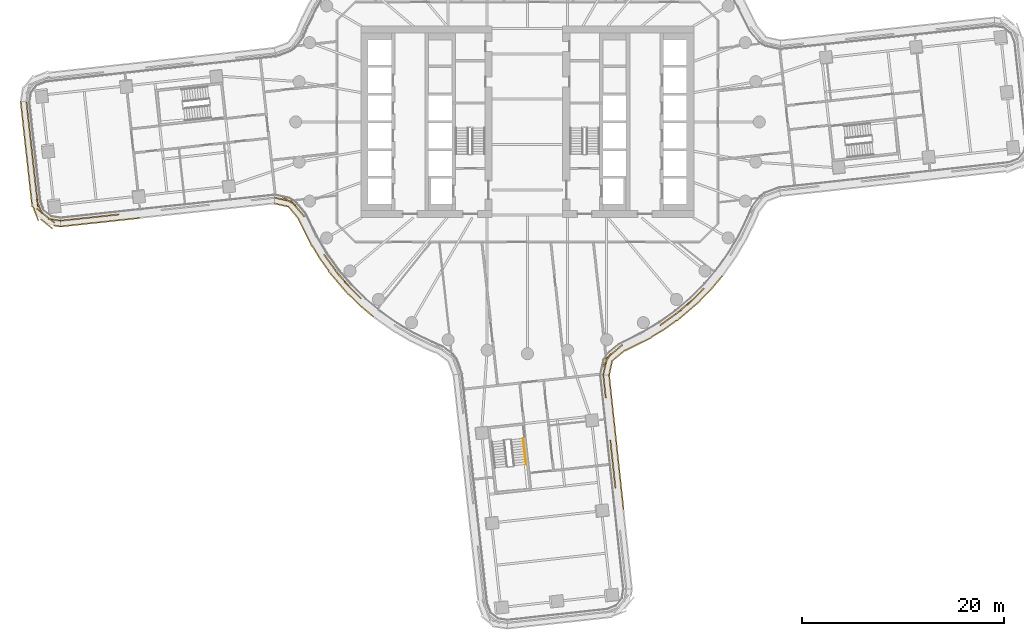
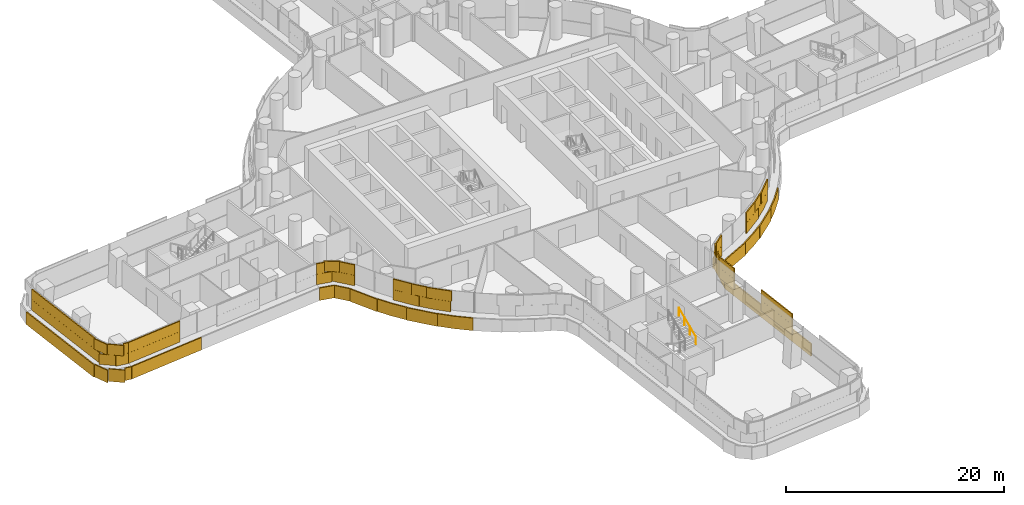
# One storey, part 26 of 31: 5 coverings, 1 railing.
"""IFC4 building model written with IfcOpenShell, lengths in metres."""

from ifc_helpers import new_model, si_unit, direction, frame, origin, origin_2d, place, context, subcontext, project, spatial, rectangle, circle, extrude, material, layer, layer_set, type_object, element, save


model = new_model("IFC4")

# Units and contexts
model_context = context("Model", 3, precision=1e-05, world=origin(), true_north=direction((0.0, 1.0)))
body_context = subcontext(model_context, "Body", "Model", "MODEL_VIEW")
ifc_project = project(units=[si_unit("LENGTHUNIT", "METRE"), si_unit("AREAUNIT", "SQUARE_METRE"), si_unit("VOLUMEUNIT", "CUBIC_METRE"), si_unit("PLANEANGLEUNIT", "RADIAN"), si_unit("MASSUNIT", "GRAM", prefix="KILO")], contexts=[model_context])

# Site, building, storey
site_placement = place(None, origin())
site = spatial("IfcSite", under=ifc_project, at=site_placement, CompositionType="ELEMENT")
building_placement = place(site_placement, origin())
building = spatial("IfcBuilding", under=site, at=building_placement, Name="Tamarind Cross Interchange Tower", CompositionType="ELEMENT")
storey_placement = place(building_placement, frame((0.0, 0.0, 56.5)))
storey = spatial("IfcBuildingStorey", under=building, at=storey_placement, Name="L12", CompositionType="ELEMENT", Elevation=56.5)

# Railing
ifc_material_1 = material(Name="Stair handrail")
railing_type = type_object("IfcRailingType", Name="Stair handrail", PredefinedType="HANDRAIL", material=ifc_material_1)
railing_placement = place(storey_placement, frame((-0.141845703125, -33.987060546875, 2.04541015625)))
element("IfcRailing", 1, at=railing_placement, inside=storey, type_object=railing_type, Name="L12 ST6 stair handrail 2", PredefinedType="HANDRAIL", context=body_context, shape_type="SweptSolid", body=[
    extrude(circle(Radius=0.02392578125, at=origin_2d()), frame((0.0, 0.0, 0.8759765625), z_axis=(-0.09133357445, 0.831269033153, 0.548315577655), x_axis=(-0.994018126687, -0.109215217887, 0.0)), (0.0, 0.0, 1.0), 3.10888671875),
    extrude(circle(Radius=0.02099609375, at=origin_2d()), origin(), (0.0, 0.0, 1.0), 0.851806640625),
    extrude(circle(Radius=0.02099609375, at=origin_2d()), frame((-0.0947265625, 0.861328125, 0.568115234375)), (0.0, 0.0, 1.0), 0.851806640625),
    extrude(circle(Radius=0.02099609375, at=origin_2d()), frame((-0.189208984375, 1.722900390625, 1.136474609375)), (0.0, 0.0, 1.0), 0.851806640625),
    extrude(circle(Radius=0.02099609375, at=origin_2d()), frame((-0.283935546875, 2.584228515625, 1.70458984375)), (0.0, 0.0, 1.0), 0.851806640625),
])

# Coverings
ifc_material_2 = material(Name="Terracotta", Category="masonry")
ifc_layer = layer(ifc_material_2, 0.1201171875)
ifc_layer_set = layer_set([ifc_layer], Name="Terracotta")
covering_type = type_object("IfcCoveringType", Name="Terracotta baguette screen unit", PredefinedType="MOLDING", material=ifc_layer_set)
covering_1_placement = place(storey_placement, origin())
element("IfcCovering", 2, at=covering_1_placement, inside=storey, type_object=covering_type, Name="SCR-L12-08-00", PredefinedType="MOLDING", context=body_context, shape_type="SweptSolid", body=[
    extrude(rectangle(XDim=1.510009765625, YDim=0.1201171875, at=origin_2d()), frame((-49.631591796875, 1.252197265625, 1.404052734375), z_axis=(0.0, 0.0, 1.0), x_axis=(0.109193040639, -0.994020563105, 0.0)), (0.0, 0.0, 1.0), 1.1669921875),
    extrude(rectangle(XDim=1.52001953125, YDim=0.1201171875, at=origin_2d()), frame((-49.4677734375, -0.23876953125, 1.404052734375), z_axis=(0.0, 0.0, 1.0), x_axis=(0.109193040639, -0.994020563105, 0.0)), (0.0, 0.0, 1.0), 1.1669921875),
    extrude(rectangle(XDim=1.52001953125, YDim=0.1201171875, at=origin_2d()), frame((-49.303955078125, -1.72998046875, 1.404052734375), z_axis=(0.0, 0.0, 1.0), x_axis=(0.109193040639, -0.994020563105, 0.0)), (0.0, 0.0, 1.0), 1.1669921875),
    extrude(rectangle(XDim=1.52001953125, YDim=0.1201171875, at=origin_2d()), frame((-49.14013671875, -3.220947265625, 1.404052734375), z_axis=(0.0, 0.0, 1.0), x_axis=(0.109193040639, -0.994020563105, 0.0)), (0.0, 0.0, 1.0), 1.1669921875),
    extrude(rectangle(XDim=1.52001953125, YDim=0.1201171875, at=origin_2d()), frame((-48.976318359375, -4.7119140625, 1.404052734375), z_axis=(0.0, 0.0, 1.0), x_axis=(0.109193040639, -0.994020563105, 0.0)), (0.0, 0.0, 1.0), 1.1669921875),
    extrude(rectangle(XDim=1.52001953125, YDim=0.1201171875, at=origin_2d()), frame((-48.8125, -6.202880859375, 1.404052734375), z_axis=(0.0, 0.0, 1.0), x_axis=(0.109193040639, -0.994020563105, 0.0)), (0.0, 0.0, 1.0), 1.1669921875),
    extrude(rectangle(XDim=1.52001953125, YDim=0.1201171875, at=origin_2d()), frame((-48.648681640625, -7.694091796875, 1.404052734375), z_axis=(0.0, 0.0, 1.0), x_axis=(0.109193040639, -0.994020563105, 0.0)), (0.0, 0.0, 1.0), 1.1669921875),
    extrude(rectangle(XDim=1.52001953125, YDim=0.1201171875, at=origin_2d()), frame((-48.109375, -9.061279296875, 1.404052734375), z_axis=(0.0, 0.0, 1.0), x_axis=(0.780089820305, -0.625667541316, 0.0)), (0.0, 0.0, 1.0), 1.1669921875),
    extrude(rectangle(XDim=1.259521484375, YDim=0.1201171875, at=origin_2d()), frame((-46.94384765625, -9.7099609375, 1.404052734375), z_axis=(0.0, 0.0, 1.0), x_axis=(0.988411372276, -0.151799074951, 0.0)), (0.0, 0.0, 1.0), 1.1669921875),
    extrude(rectangle(XDim=0.760009765625, YDim=0.1201171875, at=origin_2d()), frame((-49.67236328125, 1.625, 2.5791015625), z_axis=(0.0, 0.0, 1.0), x_axis=(0.109193040639, -0.994020563105, 0.0)), (0.0, 0.0, 1.0), 1.1669921875),
    extrude(rectangle(XDim=1.52001953125, YDim=0.1201171875, at=origin_2d()), frame((-49.549560546875, 0.506591796875, 2.5791015625), z_axis=(0.0, 0.0, 1.0), x_axis=(0.109193040639, -0.994020563105, 0.0)), (0.0, 0.0, 1.0), 1.1669921875),
    extrude(rectangle(XDim=1.52001953125, YDim=0.1201171875, at=origin_2d()), frame((-49.3857421875, -0.984375, 2.5791015625), z_axis=(0.0, 0.0, 1.0), x_axis=(0.109193040639, -0.994020563105, 0.0)), (0.0, 0.0, 1.0), 1.1669921875),
    extrude(rectangle(XDim=1.52001953125, YDim=0.1201171875, at=origin_2d()), frame((-49.221923828125, -2.475341796875, 2.5791015625), z_axis=(0.0, 0.0, 1.0), x_axis=(0.109193040639, -0.994020563105, 0.0)), (0.0, 0.0, 1.0), 1.1669921875),
    extrude(rectangle(XDim=1.52001953125, YDim=0.1201171875, at=origin_2d()), frame((-49.058349609375, -3.966552734375, 2.5791015625), z_axis=(0.0, 0.0, 1.0), x_axis=(0.109193040639, -0.994020563105, 0.0)), (0.0, 0.0, 1.0), 1.1669921875),
    extrude(rectangle(XDim=1.52001953125, YDim=0.1201171875, at=origin_2d()), frame((-48.89453125, -5.45751953125, 2.5791015625), z_axis=(0.0, 0.0, 1.0), x_axis=(0.109193040639, -0.994020563105, 0.0)), (0.0, 0.0, 1.0), 1.1669921875),
    extrude(rectangle(XDim=1.52001953125, YDim=0.1201171875, at=origin_2d()), frame((-48.730712890625, -6.948486328125, 2.5791015625), z_axis=(0.0, 0.0, 1.0), x_axis=(0.109193040639, -0.994020563105, 0.0)), (0.0, 0.0, 1.0), 1.1669921875),
    extrude(rectangle(XDim=1.52001953125, YDim=0.1201171875, at=origin_2d()), frame((-48.446044921875, -8.409912109375, 2.5791015625), z_axis=(0.0, 0.0, 1.0), x_axis=(0.36274383096, -0.931888895256, 0.0)), (0.0, 0.0, 1.0), 1.1669921875),
    extrude(rectangle(XDim=1.52001953125, YDim=0.1201171875, at=origin_2d()), frame((-47.524169921875, -9.530517578125, 2.5791015625), z_axis=(0.0, 0.0, 1.0), x_axis=(0.780089820305, -0.625667541316, 0.0)), (0.0, 0.0, 1.0), 1.1669921875),
    extrude(rectangle(XDim=0.509521484375, YDim=0.1201171875, at=origin_2d()), frame((-46.5732421875, -9.766845703125, 2.5791015625), z_axis=(0.0, 0.0, 1.0), x_axis=(0.988411372276, -0.151799074951, 0.0)), (0.0, 0.0, 1.0), 1.1669921875),
    extrude(rectangle(XDim=1.510009765625, YDim=0.1201171875, at=origin_2d()), frame((-50.209716796875, 1.259521484375, 0.00390625), z_axis=(0.0, 0.0, 1.0), x_axis=(0.109193040639, -0.994020563105, 0.0)), (0.0, 0.0, 1.0), 1.39208984375),
    extrude(rectangle(XDim=1.52001953125, YDim=0.1201171875, at=origin_2d()), frame((-50.046630859375, -0.226318359375, 0.00390625), z_axis=(0.0, 0.0, 1.0), x_axis=(0.109193040639, -0.994020563105, 0.0)), (0.0, 0.0, 1.0), 1.39208984375),
    extrude(rectangle(XDim=1.52001953125, YDim=0.1201171875, at=origin_2d()), frame((-49.8828125, -1.717529296875, 0.00390625), z_axis=(0.0, 0.0, 1.0), x_axis=(0.109193040639, -0.994020563105, 0.0)), (0.0, 0.0, 1.0), 1.39208984375),
    extrude(rectangle(XDim=1.52001953125, YDim=0.1201171875, at=origin_2d()), frame((-49.718994140625, -3.20849609375, 0.00390625), z_axis=(0.0, 0.0, 1.0), x_axis=(0.109193040639, -0.994020563105, 0.0)), (0.0, 0.0, 1.0), 1.39208984375),
    extrude(rectangle(XDim=1.52001953125, YDim=0.1201171875, at=origin_2d()), frame((-49.55517578125, -4.699462890625, 0.00390625), z_axis=(0.0, 0.0, 1.0), x_axis=(0.109193040639, -0.994020563105, 0.0)), (0.0, 0.0, 1.0), 1.39208984375),
    extrude(rectangle(XDim=1.52001953125, YDim=0.1201171875, at=origin_2d()), frame((-49.391357421875, -6.1904296875, 0.00390625), z_axis=(0.0, 0.0, 1.0), x_axis=(0.109193040639, -0.994020563105, 0.0)), (0.0, 0.0, 1.0), 1.39208984375),
    extrude(rectangle(XDim=1.52001953125, YDim=0.1201171875, at=origin_2d()), frame((-49.2275390625, -7.681640625, 0.00390625), z_axis=(0.0, 0.0, 1.0), x_axis=(0.109193040639, -0.994020563105, 0.0)), (0.0, 0.0, 1.0), 1.39208984375),
    extrude(rectangle(XDim=1.52001953125, YDim=0.1201171875, at=origin_2d()), frame((-48.791259765625, -9.105712890625, 0.00390625), z_axis=(0.0, 0.0, 1.0), x_axis=(0.36274383096, -0.931888895256, 0.0)), (0.0, 0.0, 1.0), 1.39208984375),
    extrude(rectangle(XDim=1.52001953125, YDim=0.1201171875, at=origin_2d()), frame((-47.715087890625, -10.11328125, 0.00390625), z_axis=(0.0, 0.0, 1.0), x_axis=(0.780089820305, -0.625667541316, 0.0)), (0.0, 0.0, 1.0), 1.39208984375),
    extrude(rectangle(XDim=0.67626953125, YDim=0.1201171875, at=origin_2d()), frame((-46.673828125, -10.332275390625, 0.00390625), z_axis=(0.0, 0.0, 1.0), x_axis=(0.988411372276, -0.151799074951, 0.0)), (0.0, 0.0, 1.0), 1.39208984375),
])
covering_2_placement = place(storey_placement, origin())
element("IfcCovering", 3, at=covering_2_placement, inside=storey, type_object=covering_type, Name="SCR-L12-09-00", PredefinedType="MOLDING", context=body_context, shape_type="SweptSolid", body=[
    extrude(rectangle(XDim=1.510009765625, YDim=0.1201171875, at=origin_2d()), frame((-45.58056640625, -9.724853515625, 1.404052734375), z_axis=(0.0, 0.0, 1.0), x_axis=(0.994286578986, 0.106743612679, 0.0)), (0.0, 0.0, 1.0), 1.1669921875),
    extrude(rectangle(XDim=1.52001953125, YDim=0.1201171875, at=origin_2d()), frame((-44.089111328125, -9.564697265625, 1.404052734375), z_axis=(0.0, 0.0, 1.0), x_axis=(0.994286578986, 0.106743612679, 0.0)), (0.0, 0.0, 1.0), 1.1669921875),
    extrude(rectangle(XDim=1.52001953125, YDim=0.1201171875, at=origin_2d()), frame((-42.597900390625, -9.404541015625, 1.404052734375), z_axis=(0.0, 0.0, 1.0), x_axis=(0.994286578986, 0.106743612679, 0.0)), (0.0, 0.0, 1.0), 1.1669921875),
    extrude(rectangle(XDim=1.348388671875, YDim=0.1201171875, at=origin_2d()), frame((-41.186767578125, -9.253173828125, 1.404052734375), z_axis=(0.0, 0.0, 1.0), x_axis=(0.994286578986, 0.106743612679, 0.0)), (0.0, 0.0, 1.0), 1.1669921875),
    extrude(rectangle(XDim=0.760009765625, YDim=0.1201171875, at=origin_2d()), frame((-45.95361328125, -9.764892578125, 2.5791015625), z_axis=(0.0, 0.0, 1.0), x_axis=(0.994286578986, 0.106743612679, 0.0)), (0.0, 0.0, 1.0), 1.1669921875),
    extrude(rectangle(XDim=1.52001953125, YDim=0.1201171875, at=origin_2d()), frame((-44.8349609375, -9.644775390625, 2.5791015625), z_axis=(0.0, 0.0, 1.0), x_axis=(0.994286578986, 0.106743612679, 0.0)), (0.0, 0.0, 1.0), 1.1669921875),
    extrude(rectangle(XDim=1.52001953125, YDim=0.1201171875, at=origin_2d()), frame((-43.343505859375, -9.484619140625, 2.5791015625), z_axis=(0.0, 0.0, 1.0), x_axis=(0.994286578986, 0.106743612679, 0.0)), (0.0, 0.0, 1.0), 1.1669921875),
    extrude(rectangle(XDim=1.52001953125, YDim=0.1201171875, at=origin_2d()), frame((-41.85205078125, -9.324462890625, 2.5791015625), z_axis=(0.0, 0.0, 1.0), x_axis=(0.994286578986, 0.106743612679, 0.0)), (0.0, 0.0, 1.0), 1.1669921875),
    extrude(rectangle(XDim=0.598388671875, YDim=0.1201171875, at=origin_2d()), frame((-40.81396484375, -9.213134765625, 2.5791015625), z_axis=(0.0, 0.0, 1.0), x_axis=(0.994286578986, 0.106743612679, 0.0)), (0.0, 0.0, 1.0), 1.1669921875),
    extrude(rectangle(XDim=1.510009765625, YDim=0.1201171875, at=origin_2d()), frame((-45.5888671875, -10.302978515625, 0.00390625), z_axis=(0.0, 0.0, 1.0), x_axis=(0.994286578986, 0.106743612679, 0.0)), (0.0, 0.0, 1.0), 1.39208984375),
    extrude(rectangle(XDim=1.52001953125, YDim=0.1201171875, at=origin_2d()), frame((-44.102294921875, -10.143310546875, 0.00390625), z_axis=(0.0, 0.0, 1.0), x_axis=(0.994286578986, 0.106743612679, 0.0)), (0.0, 0.0, 1.0), 1.39208984375),
    extrude(rectangle(XDim=1.52001953125, YDim=0.1201171875, at=origin_2d()), frame((-42.61083984375, -9.9833984375, 0.00390625), z_axis=(0.0, 0.0, 1.0), x_axis=(0.994286578986, 0.106743612679, 0.0)), (0.0, 0.0, 1.0), 1.39208984375),
    extrude(rectangle(XDim=1.52001953125, YDim=0.1201171875, at=origin_2d()), frame((-41.11962890625, -9.8232421875, 0.00390625), z_axis=(0.0, 0.0, 1.0), x_axis=(0.994286578986, 0.106743612679, 0.0)), (0.0, 0.0, 1.0), 1.39208984375),
    extrude(rectangle(XDim=1.52001953125, YDim=0.1201171875, at=origin_2d()), frame((-39.628173828125, -9.6630859375, 0.00390625), z_axis=(0.0, 0.0, 1.0), x_axis=(0.994286578986, 0.106743612679, 0.0)), (0.0, 0.0, 1.0), 1.39208984375),
    extrude(rectangle(XDim=0.441162109375, YDim=0.1201171875, at=origin_2d()), frame((-38.6728515625, -9.560546875, 0.00390625), z_axis=(0.0, 0.0, 1.0), x_axis=(0.994286578986, 0.106743612679, 0.0)), (0.0, 0.0, 1.0), 1.39208984375),
])
covering_3_placement = place(storey_placement, origin())
element("IfcCovering", 4, at=covering_3_placement, inside=storey, type_object=covering_type, Name="SCR-L12-10-00", PredefinedType="MOLDING", context=body_context, shape_type="SweptSolid", body=[
    extrude(rectangle(XDim=1.510009765625, YDim=0.1201171875, at=origin_2d()), frame((-24.350830078125, -7.686279296875, 1.404052734375), z_axis=(0.0, 0.0, 1.0), x_axis=(0.976411263603, -0.215919068886, 0.0)), (0.0, 0.0, 1.0), 1.1669921875),
    extrude(rectangle(XDim=1.52001953125, YDim=0.1201171875, at=origin_2d()), frame((-23.041748046875, -8.32763671875, 1.404052734375), z_axis=(0.0, 0.0, 1.0), x_axis=(0.643509866474, -0.765437817038, 0.0)), (0.0, 0.0, 1.0), 1.1669921875),
    extrude(rectangle(XDim=0.68212890625, YDim=0.1201171875, at=origin_2d()), frame((-22.3427734375, -9.1591796875, 1.404052734375), z_axis=(0.0, 0.0, 1.0), x_axis=(0.643509866474, -0.765437817038, 0.0)), (0.0, 0.0, 1.0), 1.1669921875),
    extrude(rectangle(XDim=1.137939453125, YDim=0.1201171875, at=origin_2d()), frame((-19.859375, -13.604248046875, 1.404052734375), z_axis=(0.0, 0.0, 1.0), x_axis=(0.584573890505, -0.811340475102, 0.0)), (0.0, 0.0, 1.0), 1.1669921875),
    extrude(rectangle(XDim=1.52001953125, YDim=0.1201171875, at=origin_2d()), frame((-19.09130859375, -14.67041015625, 1.404052734375), z_axis=(0.0, 0.0, 1.0), x_axis=(0.584573890505, -0.811340475102, 0.0)), (0.0, 0.0, 1.0), 1.1669921875),
    extrude(rectangle(XDim=1.52001953125, YDim=0.1201171875, at=origin_2d()), frame((-18.133544921875, -15.82373046875, 1.404052734375), z_axis=(0.0, 0.0, 1.0), x_axis=(0.64957723968, -0.760295606781, 0.0)), (0.0, 0.0, 1.0), 1.1669921875),
    extrude(rectangle(XDim=1.52001953125, YDim=0.1201171875, at=origin_2d()), frame((-17.11328125, -16.921630859375, 1.404052734375), z_axis=(0.0, 0.0, 1.0), x_axis=(0.710143317658, -0.704057148523, 0.0)), (0.0, 0.0, 1.0), 1.1669921875),
    extrude(rectangle(XDim=0.760009765625, YDim=0.1201171875, at=origin_2d()), frame((-24.716796875, -7.605224609375, 2.5791015625), z_axis=(0.0, 0.0, 1.0), x_axis=(0.976411263603, -0.215919068886, 0.0)), (0.0, 0.0, 1.0), 1.1669921875),
    extrude(rectangle(XDim=1.52001953125, YDim=0.1201171875, at=origin_2d()), frame((-23.630126953125, -7.877197265625, 2.5791015625), z_axis=(0.0, 0.0, 1.0), x_axis=(0.855294587009, -0.518142035964, 0.0)), (0.0, 0.0, 1.0), 1.1669921875),
    extrude(rectangle(XDim=1.43212890625, YDim=0.1201171875, at=origin_2d()), frame((-22.583984375, -8.8720703125, 2.5791015625), z_axis=(0.0, 0.0, 1.0), x_axis=(0.643509866474, -0.765437817038, 0.0)), (0.0, 0.0, 1.0), 1.1669921875),
    extrude(rectangle(XDim=0.387939453125, YDim=0.1201171875, at=origin_2d()), frame((-20.07861328125, -13.300048828125, 2.5791015625), z_axis=(0.0, 0.0, 1.0), x_axis=(0.584573890505, -0.811340475102, 0.0)), (0.0, 0.0, 1.0), 1.1669921875),
    extrude(rectangle(XDim=1.52001953125, YDim=0.1201171875, at=origin_2d()), frame((-19.52978515625, -14.061767578125, 2.5791015625), z_axis=(0.0, 0.0, 1.0), x_axis=(0.584573890505, -0.811340475102, 0.0)), (0.0, 0.0, 1.0), 1.1669921875),
    extrude(rectangle(XDim=1.52001953125, YDim=0.1201171875, at=origin_2d()), frame((-18.62060546875, -15.25341796875, 2.5791015625), z_axis=(0.0, 0.0, 1.0), x_axis=(0.64957723968, -0.760295606781, 0.0)), (0.0, 0.0, 1.0), 1.1669921875),
    extrude(rectangle(XDim=1.52001953125, YDim=0.1201171875, at=origin_2d()), frame((-17.645751953125, -16.3935546875, 2.5791015625), z_axis=(0.0, 0.0, 1.0), x_axis=(0.710143317658, -0.704057148523, 0.0)), (0.0, 0.0, 1.0), 1.1669921875),
    extrude(rectangle(XDim=0.85595703125, YDim=0.1201171875, at=origin_2d()), frame((-16.812744140625, -17.219482421875, 2.5791015625), z_axis=(0.0, 0.0, 1.0), x_axis=(0.710143317658, -0.704057148523, 0.0)), (0.0, 0.0, 1.0), 1.1669921875),
    extrude(rectangle(XDim=1.510009765625, YDim=0.1201171875, at=origin_2d()), frame((-24.3779296875, -8.26806640625, 0.00390625), z_axis=(0.0, 0.0, 1.0), x_axis=(0.976411263603, -0.215919068886, 0.0)), (0.0, 0.0, 1.0), 1.39208984375),
    extrude(rectangle(XDim=1.52001953125, YDim=0.1201171875, at=origin_2d()), frame((-23.1767578125, -9.05908203125, 0.00390625), z_axis=(0.0, 0.0, 1.0), x_axis=(0.643509866474, -0.765437817038, 0.0)), (0.0, 0.0, 1.0), 1.39208984375),
    extrude(rectangle(XDim=1.52001953125, YDim=0.1201171875, at=origin_2d()), frame((-22.3837890625, -10.320556640625, 0.00390625), z_axis=(0.0, 0.0, 1.0), x_axis=(0.443058811505, -0.896492548518, 0.0)), (0.0, 0.0, 1.0), 1.39208984375),
    extrude(rectangle(XDim=1.52001953125, YDim=0.1201171875, at=origin_2d()), frame((-21.71923828125, -11.665283203125, 0.00390625), z_axis=(0.0, 0.0, 1.0), x_axis=(0.443058811505, -0.896492548518, 0.0)), (0.0, 0.0, 1.0), 1.39208984375),
    extrude(rectangle(XDim=1.52001953125, YDim=0.1201171875, at=origin_2d()), frame((-20.959228515625, -12.957763671875, 0.00390625), z_axis=(0.0, 0.0, 1.0), x_axis=(0.515577308909, -0.856843065292, 0.0)), (0.0, 0.0, 1.0), 1.39208984375),
    extrude(rectangle(XDim=1.52001953125, YDim=0.1201171875, at=origin_2d()), frame((-20.132080078125, -14.207763671875, 0.00390625), z_axis=(0.0, 0.0, 1.0), x_axis=(0.584573890505, -0.811340475102, 0.0)), (0.0, 0.0, 1.0), 1.39208984375),
    extrude(rectangle(XDim=1.52001953125, YDim=0.1201171875, at=origin_2d()), frame((-19.23974609375, -15.412353515625, 0.00390625), z_axis=(0.0, 0.0, 1.0), x_axis=(0.64957723968, -0.760295606781, 0.0)), (0.0, 0.0, 1.0), 1.39208984375),
    extrude(rectangle(XDim=1.52001953125, YDim=0.1201171875, at=origin_2d()), frame((-18.265380859375, -16.552978515625, 0.00390625), z_axis=(0.0, 0.0, 1.0), x_axis=(0.64957723968, -0.760295606781, 0.0)), (0.0, 0.0, 1.0), 1.39208984375),
    extrude(rectangle(XDim=1.52001953125, YDim=0.1201171875, at=origin_2d()), frame((-17.21826171875, -17.625732421875, 0.00390625), z_axis=(0.0, 0.0, 1.0), x_axis=(0.710143317658, -0.704057148523, 0.0)), (0.0, 0.0, 1.0), 1.39208984375),
    extrude(rectangle(XDim=1.52001953125, YDim=0.1201171875, at=origin_2d()), frame((-16.115966796875, -18.641357421875, 0.00390625), z_axis=(0.0, 0.0, 1.0), x_axis=(0.765858396687, -0.643009266048, 0.0)), (0.0, 0.0, 1.0), 1.39208984375),
    extrude(rectangle(XDim=0.349365234375, YDim=0.1201171875, at=origin_2d()), frame((-15.41552734375, -19.2294921875, 0.00390625), z_axis=(0.0, 0.0, 1.0), x_axis=(0.765858396687, -0.643009266048, 0.0)), (0.0, 0.0, 1.0), 1.39208984375),
])
covering_4_placement = place(storey_placement, origin())
element("IfcCovering", 5, at=covering_4_placement, inside=storey, type_object=covering_type, Name="SCR-L12-13-01", PredefinedType="MOLDING", context=body_context, shape_type="SweptSolid", body=[
    extrude(rectangle(XDim=0.4716796875, YDim=0.1201171875, at=origin_2d()), frame((8.708740234375, -36.11572265625, 1.404052734375), z_axis=(0.0, 0.0, 1.0), x_axis=(-0.106743612679, 0.994286578986, 0.0)), (0.0, 0.0, 1.0), 1.1669921875),
    extrude(rectangle(XDim=1.52001953125, YDim=0.1201171875, at=origin_2d()), frame((8.60400390625, -35.140625, 1.404052734375), z_axis=(0.0, 0.0, 1.0), x_axis=(-0.106743612679, 0.994286578986, 0.0)), (0.0, 0.0, 1.0), 1.1669921875),
    extrude(rectangle(XDim=1.52001953125, YDim=0.1201171875, at=origin_2d()), frame((8.44384765625, -33.649169921875, 1.404052734375), z_axis=(0.0, 0.0, 1.0), x_axis=(-0.106743612679, 0.994286578986, 0.0)), (0.0, 0.0, 1.0), 1.1669921875),
    extrude(rectangle(XDim=1.34716796875, YDim=0.1201171875, at=origin_2d()), frame((8.29248046875, -32.23876953125, 1.404052734375), z_axis=(0.0, 0.0, 1.0), x_axis=(-0.106743612679, 0.994286578986, 0.0)), (0.0, 0.0, 1.0), 1.1669921875),
    extrude(rectangle(XDim=0.472900390625, YDim=0.1201171875, at=origin_2d()), frame((7.748046875, -27.16796875, 1.404052734375), z_axis=(0.0, 0.0, 1.0), x_axis=(-0.106743612679, 0.994286578986, 0.0)), (0.0, 0.0, 1.0), 1.1669921875),
    extrude(rectangle(XDim=1.52001953125, YDim=0.1201171875, at=origin_2d()), frame((7.643310546875, -26.192138671875, 1.404052734375), z_axis=(0.0, 0.0, 1.0), x_axis=(-0.106743612679, 0.994286578986, 0.0)), (0.0, 0.0, 1.0), 1.1669921875),
    extrude(rectangle(XDim=0.37548828125, YDim=0.1201171875, at=origin_2d()), frame((7.543701171875, -25.2646484375, 1.404052734375), z_axis=(0.0, 0.0, 1.0), x_axis=(-0.106743612679, 0.994286578986, 0.0)), (0.0, 0.0, 1.0), 1.1669921875),
    extrude(rectangle(XDim=1.2216796875, YDim=0.1201171875, at=origin_2d()), frame((8.668701171875, -35.742919921875, 2.5791015625), z_axis=(0.0, 0.0, 1.0), x_axis=(-0.106743612679, 0.994286578986, 0.0)), (0.0, 0.0, 1.0), 1.1669921875),
    extrude(rectangle(XDim=1.52001953125, YDim=0.1201171875, at=origin_2d()), frame((8.52392578125, -34.39501953125, 2.5791015625), z_axis=(0.0, 0.0, 1.0), x_axis=(-0.106743612679, 0.994286578986, 0.0)), (0.0, 0.0, 1.0), 1.1669921875),
    extrude(rectangle(XDim=1.52001953125, YDim=0.1201171875, at=origin_2d()), frame((8.36376953125, -32.903564453125, 2.5791015625), z_axis=(0.0, 0.0, 1.0), x_axis=(-0.106743612679, 0.994286578986, 0.0)), (0.0, 0.0, 1.0), 1.1669921875),
    extrude(rectangle(XDim=0.59716796875, YDim=0.1201171875, at=origin_2d()), frame((8.25244140625, -31.865966796875, 2.5791015625), z_axis=(0.0, 0.0, 1.0), x_axis=(-0.106743612679, 0.994286578986, 0.0)), (0.0, 0.0, 1.0), 1.1669921875),
    extrude(rectangle(XDim=1.222900390625, YDim=0.1201171875, at=origin_2d()), frame((7.7080078125, -26.794921875, 2.5791015625), z_axis=(0.0, 0.0, 1.0), x_axis=(-0.106743612679, 0.994286578986, 0.0)), (0.0, 0.0, 1.0), 1.1669921875),
    extrude(rectangle(XDim=1.12548828125, YDim=0.1201171875, at=origin_2d()), frame((7.583740234375, -25.637451171875, 2.5791015625), z_axis=(0.0, 0.0, 1.0), x_axis=(-0.106743612679, 0.994286578986, 0.0)), (0.0, 0.0, 1.0), 1.1669921875),
    extrude(rectangle(XDim=1.07861328125, YDim=0.1201171875, at=origin_2d()), frame((9.4794921875, -37.917236328125, 0.00390625), z_axis=(0.0, 0.0, 1.0), x_axis=(-0.106743612679, 0.994286578986, 0.0)), (0.0, 0.0, 1.0), 1.39208984375),
    extrude(rectangle(XDim=1.52001953125, YDim=0.1201171875, at=origin_2d()), frame((9.3427734375, -36.645263671875, 0.00390625), z_axis=(0.0, 0.0, 1.0), x_axis=(-0.106743612679, 0.994286578986, 0.0)), (0.0, 0.0, 1.0), 1.39208984375),
    extrude(rectangle(XDim=1.52001953125, YDim=0.1201171875, at=origin_2d()), frame((9.1826171875, -35.15380859375, 0.00390625), z_axis=(0.0, 0.0, 1.0), x_axis=(-0.106743612679, 0.994286578986, 0.0)), (0.0, 0.0, 1.0), 1.39208984375),
    extrude(rectangle(XDim=1.52001953125, YDim=0.1201171875, at=origin_2d()), frame((9.022705078125, -33.662353515625, 0.00390625), z_axis=(0.0, 0.0, 1.0), x_axis=(-0.106743612679, 0.994286578986, 0.0)), (0.0, 0.0, 1.0), 1.39208984375),
    extrude(rectangle(XDim=1.52001953125, YDim=0.1201171875, at=origin_2d()), frame((8.862548828125, -32.1708984375, 0.00390625), z_axis=(0.0, 0.0, 1.0), x_axis=(-0.106743612679, 0.994286578986, 0.0)), (0.0, 0.0, 1.0), 1.39208984375),
    extrude(rectangle(XDim=1.52001953125, YDim=0.1201171875, at=origin_2d()), frame((8.702392578125, -30.679443359375, 0.00390625), z_axis=(0.0, 0.0, 1.0), x_axis=(-0.106743612679, 0.994286578986, 0.0)), (0.0, 0.0, 1.0), 1.39208984375),
    extrude(rectangle(XDim=1.52001953125, YDim=0.1201171875, at=origin_2d()), frame((8.542236328125, -29.18798828125, 0.00390625), z_axis=(0.0, 0.0, 1.0), x_axis=(-0.106743612679, 0.994286578986, 0.0)), (0.0, 0.0, 1.0), 1.39208984375),
    extrude(rectangle(XDim=1.52001953125, YDim=0.1201171875, at=origin_2d()), frame((8.382080078125, -27.696533203125, 0.00390625), z_axis=(0.0, 0.0, 1.0), x_axis=(-0.106743612679, 0.994286578986, 0.0)), (0.0, 0.0, 1.0), 1.39208984375),
    extrude(rectangle(XDim=1.52001953125, YDim=0.1201171875, at=origin_2d()), frame((8.221923828125, -26.205322265625, 0.00390625), z_axis=(0.0, 0.0, 1.0), x_axis=(-0.106743612679, 0.994286578986, 0.0)), (0.0, 0.0, 1.0), 1.39208984375),
    extrude(rectangle(XDim=0.356201171875, YDim=0.1201171875, at=origin_2d()), frame((8.1240234375, -25.292236328125, 0.00390625), z_axis=(0.0, 0.0, 1.0), x_axis=(-0.106743612679, 0.994286578986, 0.0)), (0.0, 0.0, 1.0), 1.39208984375),
])
covering_5_placement = place(storey_placement, origin())
element("IfcCovering", 6, at=covering_5_placement, inside=storey, type_object=covering_type, Name="SCR-L12-14-00", PredefinedType="MOLDING", context=body_context, shape_type="SweptSolid", body=[
    extrude(rectangle(XDim=1.510009765625, YDim=0.1201171875, at=origin_2d()), frame((7.686279296875, -24.350830078125, 1.404052734375), z_axis=(0.0, 0.0, 1.0), x_axis=(0.215919068886, 0.976411263603, 0.0)), (0.0, 0.0, 1.0), 1.1669921875),
    extrude(rectangle(XDim=1.52001953125, YDim=0.1201171875, at=origin_2d()), frame((8.32763671875, -23.041748046875, 1.404052734375), z_axis=(0.0, 0.0, 1.0), x_axis=(0.765437817038, 0.643509866474, 0.0)), (0.0, 0.0, 1.0), 1.1669921875),
    extrude(rectangle(XDim=0.68212890625, YDim=0.1201171875, at=origin_2d()), frame((9.1591796875, -22.3427734375, 1.404052734375), z_axis=(0.0, 0.0, 1.0), x_axis=(0.765437817038, 0.643509866474, 0.0)), (0.0, 0.0, 1.0), 1.1669921875),
    extrude(rectangle(XDim=1.137939453125, YDim=0.1201171875, at=origin_2d()), frame((13.604248046875, -19.859375, 1.404052734375), z_axis=(0.0, 0.0, 1.0), x_axis=(0.811340475102, 0.584573890505, 0.0)), (0.0, 0.0, 1.0), 1.1669921875),
    extrude(rectangle(XDim=1.52001953125, YDim=0.1201171875, at=origin_2d()), frame((14.67041015625, -19.09130859375, 1.404052734375), z_axis=(0.0, 0.0, 1.0), x_axis=(0.811340475102, 0.584573890505, 0.0)), (0.0, 0.0, 1.0), 1.1669921875),
    extrude(rectangle(XDim=1.52001953125, YDim=0.1201171875, at=origin_2d()), frame((15.82373046875, -18.133544921875, 1.404052734375), z_axis=(0.0, 0.0, 1.0), x_axis=(0.760295606781, 0.64957723968, 0.0)), (0.0, 0.0, 1.0), 1.1669921875),
    extrude(rectangle(XDim=1.52001953125, YDim=0.1201171875, at=origin_2d()), frame((16.921630859375, -17.11328125, 1.404052734375), z_axis=(0.0, 0.0, 1.0), x_axis=(0.704057148523, 0.710143317658, 0.0)), (0.0, 0.0, 1.0), 1.1669921875),
    extrude(rectangle(XDim=0.760009765625, YDim=0.1201171875, at=origin_2d()), frame((7.605224609375, -24.716796875, 2.5791015625), z_axis=(0.0, 0.0, 1.0), x_axis=(0.215919068886, 0.976411263603, 0.0)), (0.0, 0.0, 1.0), 1.1669921875),
    extrude(rectangle(XDim=1.52001953125, YDim=0.1201171875, at=origin_2d()), frame((7.877197265625, -23.630126953125, 2.5791015625), z_axis=(0.0, 0.0, 1.0), x_axis=(0.518142035964, 0.855294587009, 0.0)), (0.0, 0.0, 1.0), 1.1669921875),
    extrude(rectangle(XDim=1.43212890625, YDim=0.1201171875, at=origin_2d()), frame((8.8720703125, -22.583984375, 2.5791015625), z_axis=(0.0, 0.0, 1.0), x_axis=(0.765437817038, 0.643509866474, 0.0)), (0.0, 0.0, 1.0), 1.1669921875),
    extrude(rectangle(XDim=0.387939453125, YDim=0.1201171875, at=origin_2d()), frame((13.300048828125, -20.07861328125, 2.5791015625), z_axis=(0.0, 0.0, 1.0), x_axis=(0.811340475102, 0.584573890505, 0.0)), (0.0, 0.0, 1.0), 1.1669921875),
    extrude(rectangle(XDim=1.52001953125, YDim=0.1201171875, at=origin_2d()), frame((14.061767578125, -19.52978515625, 2.5791015625), z_axis=(0.0, 0.0, 1.0), x_axis=(0.811340475102, 0.584573890505, 0.0)), (0.0, 0.0, 1.0), 1.1669921875),
    extrude(rectangle(XDim=1.52001953125, YDim=0.1201171875, at=origin_2d()), frame((15.25341796875, -18.62060546875, 2.5791015625), z_axis=(0.0, 0.0, 1.0), x_axis=(0.760295606781, 0.64957723968, 0.0)), (0.0, 0.0, 1.0), 1.1669921875),
    extrude(rectangle(XDim=1.52001953125, YDim=0.1201171875, at=origin_2d()), frame((16.3935546875, -17.645751953125, 2.5791015625), z_axis=(0.0, 0.0, 1.0), x_axis=(0.704057148523, 0.710143317658, 0.0)), (0.0, 0.0, 1.0), 1.1669921875),
    extrude(rectangle(XDim=0.85595703125, YDim=0.1201171875, at=origin_2d()), frame((17.219482421875, -16.812744140625, 2.5791015625), z_axis=(0.0, 0.0, 1.0), x_axis=(0.704057148523, 0.710143317658, 0.0)), (0.0, 0.0, 1.0), 1.1669921875),
    extrude(rectangle(XDim=1.510009765625, YDim=0.1201171875, at=origin_2d()), frame((8.26806640625, -24.3779296875, 0.00390625), z_axis=(0.0, 0.0, 1.0), x_axis=(0.215919068886, 0.976411263603, 0.0)), (0.0, 0.0, 1.0), 1.39208984375),
    extrude(rectangle(XDim=1.52001953125, YDim=0.1201171875, at=origin_2d()), frame((9.05908203125, -23.1767578125, 0.00390625), z_axis=(0.0, 0.0, 1.0), x_axis=(0.765437817038, 0.643509866474, 0.0)), (0.0, 0.0, 1.0), 1.39208984375),
    extrude(rectangle(XDim=1.52001953125, YDim=0.1201171875, at=origin_2d()), frame((10.320556640625, -22.3837890625, 0.00390625), z_axis=(0.0, 0.0, 1.0), x_axis=(0.896492548518, 0.443058811505, 0.0)), (0.0, 0.0, 1.0), 1.39208984375),
    extrude(rectangle(XDim=1.52001953125, YDim=0.1201171875, at=origin_2d()), frame((11.665283203125, -21.71923828125, 0.00390625), z_axis=(0.0, 0.0, 1.0), x_axis=(0.896492548518, 0.443058811505, 0.0)), (0.0, 0.0, 1.0), 1.39208984375),
    extrude(rectangle(XDim=1.52001953125, YDim=0.1201171875, at=origin_2d()), frame((12.957763671875, -20.959228515625, 0.00390625), z_axis=(0.0, 0.0, 1.0), x_axis=(0.856843065292, 0.515577308909, 0.0)), (0.0, 0.0, 1.0), 1.39208984375),
    extrude(rectangle(XDim=1.52001953125, YDim=0.1201171875, at=origin_2d()), frame((14.207763671875, -20.132080078125, 0.00390625), z_axis=(0.0, 0.0, 1.0), x_axis=(0.811340475102, 0.584573890505, 0.0)), (0.0, 0.0, 1.0), 1.39208984375),
    extrude(rectangle(XDim=1.52001953125, YDim=0.1201171875, at=origin_2d()), frame((15.412353515625, -19.23974609375, 0.00390625), z_axis=(0.0, 0.0, 1.0), x_axis=(0.760295606781, 0.64957723968, 0.0)), (0.0, 0.0, 1.0), 1.39208984375),
    extrude(rectangle(XDim=1.52001953125, YDim=0.1201171875, at=origin_2d()), frame((16.552978515625, -18.265380859375, 0.00390625), z_axis=(0.0, 0.0, 1.0), x_axis=(0.760295606781, 0.64957723968, 0.0)), (0.0, 0.0, 1.0), 1.39208984375),
    extrude(rectangle(XDim=1.52001953125, YDim=0.1201171875, at=origin_2d()), frame((17.625732421875, -17.21826171875, 0.00390625), z_axis=(0.0, 0.0, 1.0), x_axis=(0.704057148523, 0.710143317658, 0.0)), (0.0, 0.0, 1.0), 1.39208984375),
    extrude(rectangle(XDim=1.52001953125, YDim=0.1201171875, at=origin_2d()), frame((18.641357421875, -16.115966796875, 0.00390625), z_axis=(0.0, 0.0, 1.0), x_axis=(0.643009266048, 0.765858396687, 0.0)), (0.0, 0.0, 1.0), 1.39208984375),
    extrude(rectangle(XDim=0.349365234375, YDim=0.1201171875, at=origin_2d()), frame((19.2294921875, -15.41552734375, 0.00390625), z_axis=(0.0, 0.0, 1.0), x_axis=(0.643009266048, 0.765858396687, 0.0)), (0.0, 0.0, 1.0), 1.39208984375),
])

save(model, "model.ifc")
